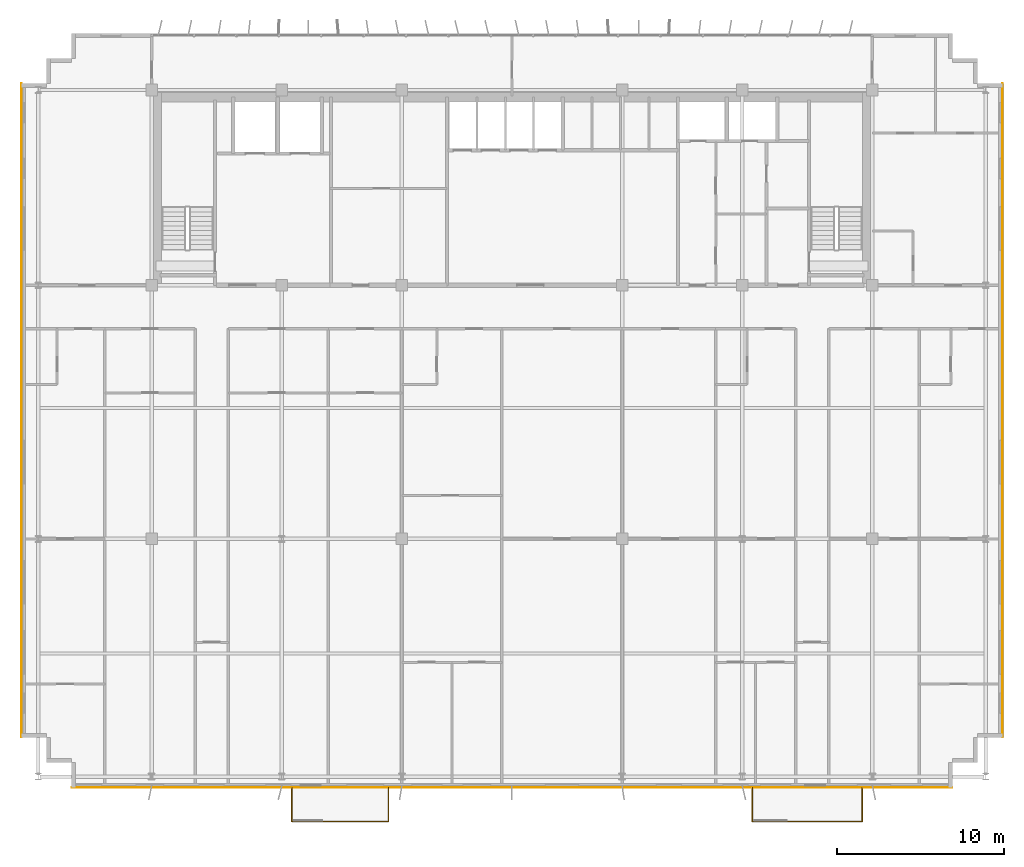
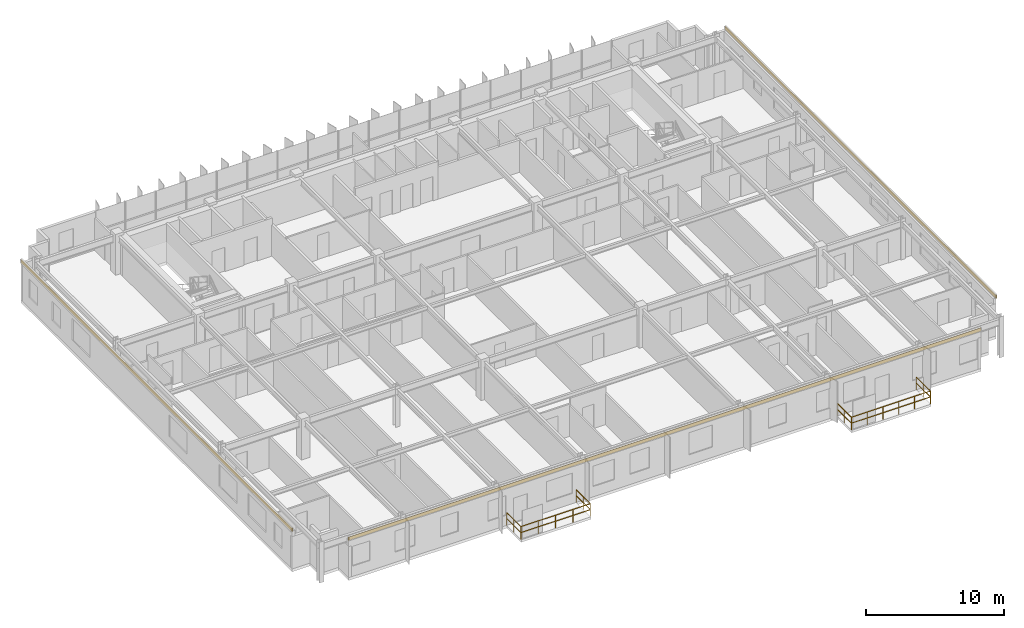
# One storey, part 20 of 21: 6 railings, 3 coverings.
"""IFC4 building model written with IfcOpenShell, lengths in metres."""

from ifc_helpers import new_model, si_unit, direction, frame, origin, origin_2d, place, context, subcontext, project, spatial, rectangle, extrude, source, transform, mapped, material, layer, layer_set, type_object, element, save


model = new_model("IFC4")

# Units and contexts
model_context = context("Model", 3, precision=1e-05, world=origin(), true_north=direction((0.0, 1.0)))
body_context = subcontext(model_context, "Body", "Model", "MODEL_VIEW")
ifc_project = project(units=[si_unit("LENGTHUNIT", "METRE"), si_unit("AREAUNIT", "SQUARE_METRE"), si_unit("VOLUMEUNIT", "CUBIC_METRE"), si_unit("PLANEANGLEUNIT", "RADIAN"), si_unit("MASSUNIT", "GRAM", prefix="KILO")], contexts=[model_context])

# Site, building, storey
site_placement = place(None, origin())
site = spatial("IfcSite", under=ifc_project, at=site_placement, CompositionType="ELEMENT")
building_placement = place(site_placement, origin())
building = spatial("IfcBuilding", under=site, at=building_placement, Name="Trelvane Seafront Commons", CompositionType="ELEMENT")
storey_placement = place(building_placement, frame((0.0, 0.0, 160.89990234375)))
storey = spatial("IfcBuildingStorey", under=building, at=storey_placement, Name="L42", CompositionType="ELEMENT", Elevation=160.89990234375)

# Railings
ifc_material_1 = material(Name="Stainless steel balustrade", Category="steel")
railing_type = type_object("IfcRailingType", Name="ARCH-RAIL-BAL1150", PredefinedType="BALUSTRADE", material=ifc_material_1)
railing_1_placement = place(storey_placement, frame((24.0, 3.300048828125, 0.0)))
element("IfcRailing", 1, at=railing_1_placement, inside=storey, type_object=railing_type, Name="RL-L42-BAL0-01", PredefinedType="BALUSTRADE", context=body_context, shape_type="SweptSolid", body=[
    extrude(rectangle(XDim=0.048095703125, YDim=0.048095703125, at=origin_2d()), frame((0.0, 0.0, 1.1259765625), z_axis=(0.0, -1.0, 0.0), x_axis=(1.0, 0.0, 0.0)), (0.0, 0.0, 1.0), 2.0400390625),
    extrude(rectangle(XDim=0.048095703125, YDim=0.048095703125, at=origin_2d()), frame((0.0, 0.0, 0.597900390625), z_axis=(0.0, -1.0, 0.0), x_axis=(1.0, 0.0, 0.0)), (0.0, 0.0, 1.0), 2.0400390625),
    extrude(rectangle(XDim=0.0419921875, YDim=0.0419921875, at=origin_2d()), origin(), (0.0, 0.0, 1.0), 1.1259765625),
    extrude(rectangle(XDim=0.0419921875, YDim=0.0419921875, at=origin_2d()), frame((0.0, -1.02001953125, 0.0)), (0.0, 0.0, 1.0), 1.1259765625),
    extrude(rectangle(XDim=0.0419921875, YDim=0.0419921875, at=origin_2d()), frame((0.0, -2.0400390625, 0.0)), (0.0, 0.0, 1.0), 1.1259765625),
])
railing_2_placement = place(storey_placement, frame((24.0, 1.260009765625, 0.0)))
element("IfcRailing", 2, at=railing_2_placement, inside=storey, type_object=railing_type, Name="RL-L42-BAL0-02", PredefinedType="BALUSTRADE", context=body_context, shape_type="SweptSolid", body=[
    extrude(rectangle(XDim=0.048095703125, YDim=0.048095703125, at=origin_2d()), frame((0.0, 0.0, 1.1259765625), z_axis=(1.0, 0.0, 0.0), x_axis=(0.0, 1.0, 0.0)), (0.0, 0.0, 1.0), 5.800048828125),
    extrude(rectangle(XDim=0.048095703125, YDim=0.048095703125, at=origin_2d()), frame((0.0, 0.0, 0.597900390625), z_axis=(1.0, 0.0, 0.0), x_axis=(0.0, 1.0, 0.0)), (0.0, 0.0, 1.0), 5.800048828125),
    extrude(rectangle(XDim=0.0419921875, YDim=0.0419921875, at=origin_2d()), origin(), (0.0, 0.0, 1.0), 1.1259765625),
    extrude(rectangle(XDim=0.0419921875, YDim=0.0419921875, at=origin_2d()), frame((1.449951171875, 0.0, 0.0)), (0.0, 0.0, 1.0), 1.1259765625),
    extrude(rectangle(XDim=0.0419921875, YDim=0.0419921875, at=origin_2d()), frame((2.89990234375, 0.0, 0.0)), (0.0, 0.0, 1.0), 1.1259765625),
    extrude(rectangle(XDim=0.0419921875, YDim=0.0419921875, at=origin_2d()), frame((4.35009765625, 0.0, 0.0)), (0.0, 0.0, 1.0), 1.1259765625),
    extrude(rectangle(XDim=0.0419921875, YDim=0.0419921875, at=origin_2d()), frame((5.800048828125, 0.0, 0.0)), (0.0, 0.0, 1.0), 1.1259765625),
])
railing_3_placement = place(storey_placement, frame((29.800048828125, 1.260009765625, 0.0)))
element("IfcRailing", 3, at=railing_3_placement, inside=storey, type_object=railing_type, Name="RL-L42-BAL0-03", PredefinedType="BALUSTRADE", context=body_context, shape_type="SweptSolid", body=[
    extrude(rectangle(XDim=0.048095703125, YDim=0.048095703125, at=origin_2d()), frame((0.0, 0.0, 1.1259765625), z_axis=(0.0, 1.0, 0.0), x_axis=(-1.0, 0.0, 0.0)), (0.0, 0.0, 1.0), 2.0400390625),
    extrude(rectangle(XDim=0.048095703125, YDim=0.048095703125, at=origin_2d()), frame((0.0, 0.0, 0.597900390625), z_axis=(0.0, 1.0, 0.0), x_axis=(-1.0, 0.0, 0.0)), (0.0, 0.0, 1.0), 2.0400390625),
    extrude(rectangle(XDim=0.0419921875, YDim=0.0419921875, at=origin_2d()), origin(), (0.0, 0.0, 1.0), 1.1259765625),
    extrude(rectangle(XDim=0.0419921875, YDim=0.0419921875, at=origin_2d()), frame((0.0, 1.02001953125, 0.0)), (0.0, 0.0, 1.0), 1.1259765625),
    extrude(rectangle(XDim=0.0419921875, YDim=0.0419921875, at=origin_2d()), frame((0.0, 2.0400390625, 0.0)), (0.0, 0.0, 1.0), 1.1259765625),
])
railing_4_placement = place(storey_placement, frame((51.60009765625, 3.300048828125, 0.0)))
element("IfcRailing", 4, at=railing_4_placement, inside=storey, type_object=railing_type, Name="RL-L42-BAL1-01", PredefinedType="BALUSTRADE", context=body_context, shape_type="SweptSolid", body=[
    extrude(rectangle(XDim=0.048095703125, YDim=0.048095703125, at=origin_2d()), frame((0.0, 0.0, 1.1259765625), z_axis=(0.0, -1.0, 0.0), x_axis=(1.0, 0.0, 0.0)), (0.0, 0.0, 1.0), 2.0400390625),
    extrude(rectangle(XDim=0.048095703125, YDim=0.048095703125, at=origin_2d()), frame((0.0, 0.0, 0.597900390625), z_axis=(0.0, -1.0, 0.0), x_axis=(1.0, 0.0, 0.0)), (0.0, 0.0, 1.0), 2.0400390625),
    extrude(rectangle(XDim=0.0419921875, YDim=0.0419921875, at=origin_2d()), origin(), (0.0, 0.0, 1.0), 1.1259765625),
    extrude(rectangle(XDim=0.0419921875, YDim=0.0419921875, at=origin_2d()), frame((0.0, -1.02001953125, 0.0)), (0.0, 0.0, 1.0), 1.1259765625),
    extrude(rectangle(XDim=0.0419921875, YDim=0.0419921875, at=origin_2d()), frame((0.0, -2.0400390625, 0.0)), (0.0, 0.0, 1.0), 1.1259765625),
])
railing_5_placement = place(storey_placement, frame((51.60009765625, 1.260009765625, 0.0)))
element("IfcRailing", 5, at=railing_5_placement, inside=storey, type_object=railing_type, Name="RL-L42-BAL1-02", PredefinedType="BALUSTRADE", context=body_context, shape_type="SweptSolid", body=[
    extrude(rectangle(XDim=0.048095703125, YDim=0.048095703125, at=origin_2d()), frame((0.0, 0.0, 1.1259765625), z_axis=(1.0, 0.0, 0.0), x_axis=(0.0, 1.0, 0.0)), (0.0, 0.0, 1.0), 6.599853515625),
    extrude(rectangle(XDim=0.048095703125, YDim=0.048095703125, at=origin_2d()), frame((0.0, 0.0, 0.597900390625), z_axis=(1.0, 0.0, 0.0), x_axis=(0.0, 1.0, 0.0)), (0.0, 0.0, 1.0), 6.599853515625),
    extrude(rectangle(XDim=0.0419921875, YDim=0.0419921875, at=origin_2d()), origin(), (0.0, 0.0, 1.0), 1.1259765625),
    extrude(rectangle(XDim=0.0419921875, YDim=0.0419921875, at=origin_2d()), frame((1.320068359375, 0.0, 0.0)), (0.0, 0.0, 1.0), 1.1259765625),
    extrude(rectangle(XDim=0.0419921875, YDim=0.0419921875, at=origin_2d()), frame((2.639892578125, 0.0, 0.0)), (0.0, 0.0, 1.0), 1.1259765625),
    extrude(rectangle(XDim=0.0419921875, YDim=0.0419921875, at=origin_2d()), frame((3.9599609375, 0.0, 0.0)), (0.0, 0.0, 1.0), 1.1259765625),
    extrude(rectangle(XDim=0.0419921875, YDim=0.0419921875, at=origin_2d()), frame((5.27978515625, 0.0, 0.0)), (0.0, 0.0, 1.0), 1.1259765625),
    extrude(rectangle(XDim=0.0419921875, YDim=0.0419921875, at=origin_2d()), frame((6.599853515625, 0.0, 0.0)), (0.0, 0.0, 1.0), 1.1259765625),
])
railing_6_placement = place(storey_placement, frame((58.199951171875, 1.260009765625, 0.0)))
element("IfcRailing", 6, at=railing_6_placement, inside=storey, type_object=railing_type, Name="RL-L42-BAL1-03", PredefinedType="BALUSTRADE", context=body_context, shape_type="SweptSolid", body=[
    extrude(rectangle(XDim=0.048095703125, YDim=0.048095703125, at=origin_2d()), frame((0.0, 0.0, 1.1259765625), z_axis=(0.0, 1.0, 0.0), x_axis=(-1.0, 0.0, 0.0)), (0.0, 0.0, 1.0), 2.0400390625),
    extrude(rectangle(XDim=0.048095703125, YDim=0.048095703125, at=origin_2d()), frame((0.0, 0.0, 0.597900390625), z_axis=(0.0, 1.0, 0.0), x_axis=(-1.0, 0.0, 0.0)), (0.0, 0.0, 1.0), 2.0400390625),
    extrude(rectangle(XDim=0.0419921875, YDim=0.0419921875, at=origin_2d()), origin(), (0.0, 0.0, 1.0), 1.1259765625),
    extrude(rectangle(XDim=0.0419921875, YDim=0.0419921875, at=origin_2d()), frame((0.0, 1.02001953125, 0.0)), (0.0, 0.0, 1.0), 1.1259765625),
    extrude(rectangle(XDim=0.0419921875, YDim=0.0419921875, at=origin_2d()), frame((0.0, 2.0400390625, 0.0)), (0.0, 0.0, 1.0), 1.1259765625),
])

# Coverings
ifc_material_2 = material(Name="Anodised pale-silver aluminium", Category="aluminium")
ifc_layer = layer(ifc_material_2, 0.034912109375, Name="ARCH-COV-CLAD35")
ifc_layer_set = layer_set([ifc_layer], Name="Anodised pale-silver aluminium")
covering_type = type_object("IfcCoveringType", Name="ARCH-COV-CLAD35", PredefinedType="CLADDING", material=ifc_layer_set)
shared_shape_1 = source(origin(), body_context, "Body", "SweptSolid", [
    extrude(rectangle(XDim=39.199951171875, YDim=0.034912109375, at=origin_2d()), origin(), (0.0, 0.0, 1.0), 0.2900390625),
])
for number, where, z_axis, x_axis, name in (
    (7, (7.800048828125, 25.89990234375, 3.31005859375), (0.0, 0.0, 1.0), (0.0, 1.0, 0.0), "CLD-L42-00167"),
    (8, (66.60009765625, 25.89990234375, 3.31005859375), (0.0, 0.0, 1.0), (0.0, -1.0, 0.0), "CLD-L42-00168"),
):
    element("IfcCovering", number, at=place(storey_placement, frame(where, z_axis=z_axis, x_axis=x_axis)), inside=storey, type_object=covering_type, Name=name, PredefinedType="CLADDING", context=body_context, shape_type="MappedRepresentation", body=[
        mapped(shared_shape_1, transform((0.0, 0.0, 0.0), x_axis=(1.0, 0.0, 0.0), y_axis=(0.0, 1.0, 0.0), z_axis=(0.0, 0.0, 1.0), scale=1.0)),
    ])
shared_shape_2 = source(origin(), body_context, "Body", "SweptSolid", [
    extrude(rectangle(XDim=52.800048828125, YDim=0.034912109375, at=origin_2d()), origin(), (0.0, 0.0, 1.0), 0.2900390625),
])
covering_placement = place(storey_placement, frame((37.199951171875, 3.300048828125, 3.31005859375), z_axis=(0.0, 0.0, 1.0), x_axis=(-1.0, 0.0, 0.0)))
element("IfcCovering", 9, at=covering_placement, inside=storey, type_object=covering_type, Name="CLD-L42-00169", PredefinedType="CLADDING", context=body_context, shape_type="MappedRepresentation", body=[
    mapped(shared_shape_2, transform((0.0, 0.0, 0.0), x_axis=(1.0, 0.0, 0.0), y_axis=(0.0, 1.0, 0.0), z_axis=(0.0, 0.0, 1.0), scale=1.0)),
])

save(model, "model.ifc")
